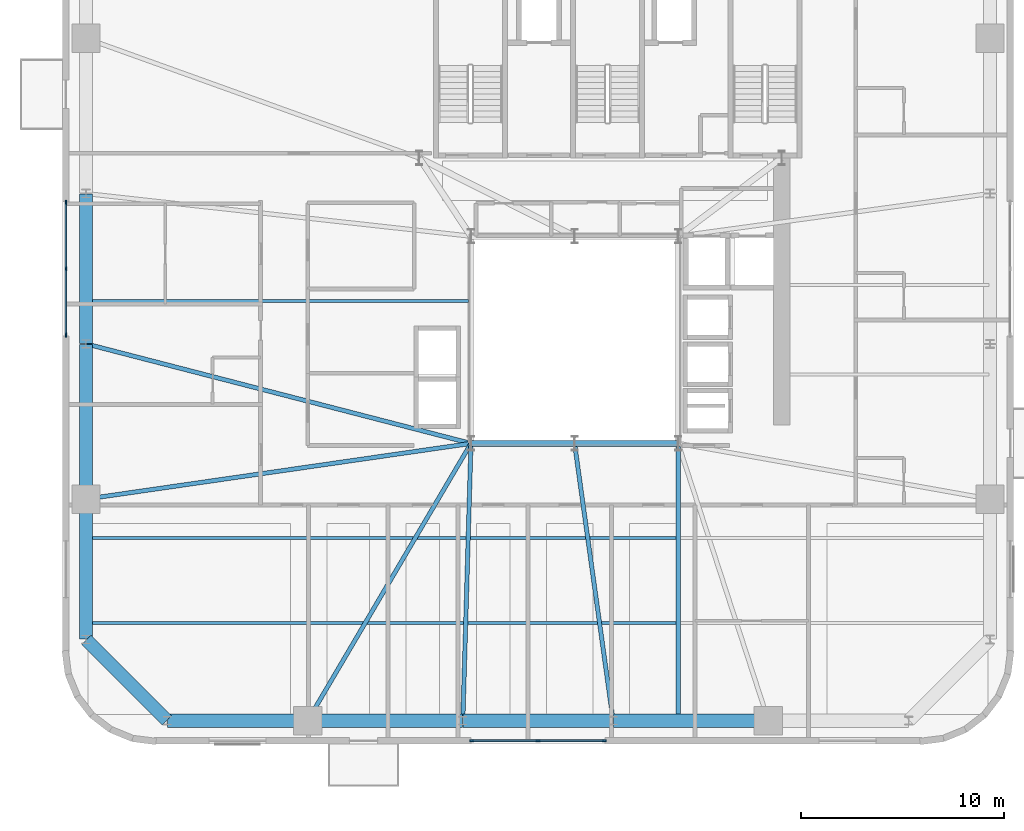
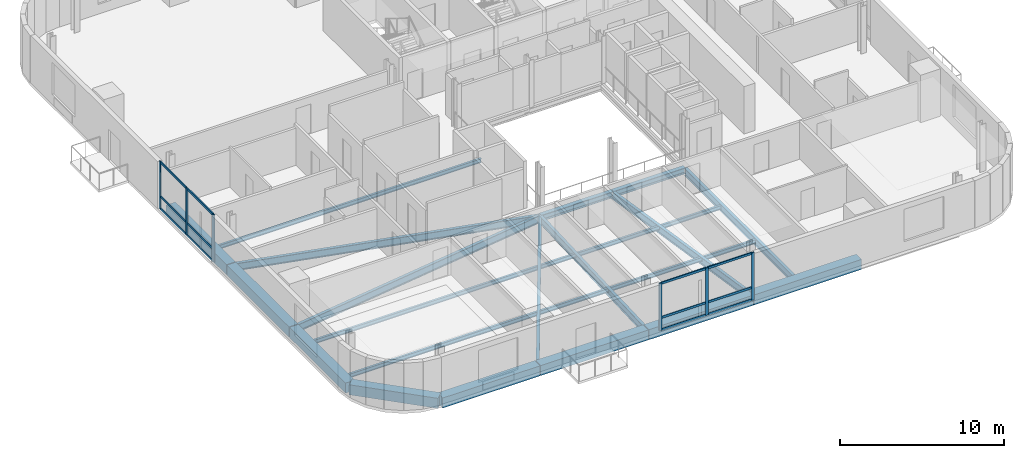
# One storey, part 3 of 17: 19 beams, 18 members, 2 elements without a shape of their own.
"""IFC4 building model written with IfcOpenShell, lengths in metres."""

import ifcopenshell
import ifcopenshell.guid

model = None  # the IFC model being written
_history = None  # IfcOwnerHistory: only IFC2X3 demands one
_inside = {}  # id of a spatial element -> (the spatial element, [elements in it])
_under = {}  # id of a project, library or spatial element -> (it, [spatial elements below it])
_declared = {}  # id of a project -> (the project, [libraries it declares])
_typed = {}  # id of a type object -> (the type object, [elements of that type])
_made_of = {}  # id of a material, layer set ... -> (it, [elements and type objects made of it])


def new_model(schema):
    """Start an empty IFC model of exactly this schema.

    Asked for "IFC4X3", IfcOpenShell would pick the latest addendum, in which some entities
    have other attributes; the version numbers below select the first issue.
    IFC2X3 requires an IfcOwnerHistory on every rooted entity: one is made here for all.
    """
    global model, _history
    if schema == "IFC4X3":
        model = ifcopenshell.file(schema_version=(4, 3, 0, 0))
    else:
        model = ifcopenshell.file(schema=schema)
    _inside.clear()
    _under.clear()
    _declared.clear()
    _typed.clear()
    _made_of.clear()
    _history = None
    if model.schema == "IFC2X3":
        org = make("IfcOrganization", Name="unknown")
        user = make(
            "IfcPersonAndOrganization",
            ThePerson=make("IfcPerson", FamilyName="unknown"),
            TheOrganization=org,
        )
        app = make(
            "IfcApplication",
            ApplicationDeveloper=org,
            Version="unknown",
            ApplicationFullName="unknown",
            ApplicationIdentifier="unknown",
        )
        _history = make(
            "IfcOwnerHistory",
            OwningUser=user,
            OwningApplication=app,
            ChangeAction="ADDED",
            CreationDate=0,
        )
    return model


def make(cls, **values):
    """One entity of the class cls with the attributes given. An attribute that is None is left unset."""
    return model.create_entity(
        cls, **{name: value for name, value in values.items() if value is not None}
    )


def rooted(cls, **values):
    """An entity with a GlobalId (a new one), such as an element, a storey or a relation."""
    return make(cls, GlobalId=ifcopenshell.guid.new(), OwnerHistory=_history, **values)


def si_unit(unit_type, name, prefix=None):
    """IfcSIUnit, for example si_unit("LENGTHUNIT", "METRE", prefix="MILLI")."""
    return make("IfcSIUnit", UnitType=unit_type, Prefix=prefix, Name=name)


def assignment(units):
    """IfcUnitAssignment: the units of a project."""
    return None if units is None else make("IfcUnitAssignment", Units=units)


def point(xyz):
    """IfcCartesianPoint."""
    return None if xyz is None else make("IfcCartesianPoint", Coordinates=xyz)


def direction(xyz):
    """IfcDirection."""
    return None if xyz is None else make("IfcDirection", DirectionRatios=xyz)


def frame(location, z_axis=None, x_axis=None):
    """IfcAxis2Placement3D, a coordinate frame: its origin and axes. An axis left out is left unset."""
    return make(
        "IfcAxis2Placement3D",
        Location=point(location),
        Axis=direction(z_axis),
        RefDirection=direction(x_axis),
    )


def frame_2d(location, x_axis=None):
    """IfcAxis2Placement2D, a coordinate frame in the plane: its origin and x axis."""
    return make(
        "IfcAxis2Placement2D", Location=point(location), RefDirection=direction(x_axis)
    )


def origin():
    """The frame at (0, 0, 0) with its axes left unset."""
    return frame((0.0, 0.0, 0.0))


def origin_2d():
    """The frame at (0, 0) in the plane with its x axis left unset."""
    return frame_2d((0.0, 0.0))


def place(relative_to, where):
    """IfcLocalPlacement: puts the frame where relative to a parent placement (None: the world)."""
    return make(
        "IfcLocalPlacement", PlacementRelTo=relative_to, RelativePlacement=where
    )


def context(
    kind, dimensions, precision=None, world=None, true_north=None, identifier=None
):
    """IfcGeometricRepresentationContext, for example the 3D "Model" context."""
    return make(
        "IfcGeometricRepresentationContext",
        ContextIdentifier=identifier,
        ContextType=kind,
        CoordinateSpaceDimension=dimensions,
        Precision=precision,
        WorldCoordinateSystem=world,
        TrueNorth=true_north,
    )


def subcontext(parent, identifier, kind, view, scale=None):
    """IfcGeometricRepresentationSubContext, for example "Body" below "Model"."""
    return make(
        "IfcGeometricRepresentationSubContext",
        ContextIdentifier=identifier,
        ContextType=kind,
        ParentContext=parent,
        TargetScale=scale,
        TargetView=view,
    )


def project(units=None, contexts=None):
    """IfcProject with its units and contexts."""
    return rooted(
        "IfcProject",
        Name="project",
        RepresentationContexts=contexts,
        UnitsInContext=assignment(units),
    )


def spatial(cls, under=None, at=None, **own):
    """A site, building, storey or space (cls), placed at a placement, below another one or the project."""
    s = rooted(cls, ObjectPlacement=at, **own)
    if under is not None:
        _under.setdefault(under.id(), (under, []))[1].append(s)
    return s


def profile(cls, at=None, kind="AREA", **sizes):
    """A parametric profile (cls). Its sizes go by their IFC names, for example OverallWidth=200.0."""
    return make(cls, ProfileType=kind, Position=at, **sizes)


def rectangle(**sizes):
    """IfcRectangleProfileDef."""
    return profile("IfcRectangleProfileDef", **sizes)


def i_section(**sizes):
    """IfcIShapeProfileDef."""
    return profile("IfcIShapeProfileDef", **sizes)


def extrude(swept, where, along, depth):
    """IfcExtrudedAreaSolid: the profile swept, set in the frame where, extruded along a direction by depth."""
    return make(
        "IfcExtrudedAreaSolid",
        SweptArea=swept,
        Position=where,
        ExtrudedDirection=direction(along),
        Depth=depth,
    )


def shape(context_of_items, identifier, shape_type, items):
    """IfcShapeRepresentation: the items that make up one representation, for example the "Body"."""
    return make(
        "IfcShapeRepresentation",
        ContextOfItems=context_of_items,
        RepresentationIdentifier=identifier,
        RepresentationType=shape_type,
        Items=items,
    )


def source(mapping_origin, context_of_items, identifier, shape_type, items):
    """IfcRepresentationMap: a shape defined once, which mapped items show again and again."""
    return make(
        "IfcRepresentationMap",
        MappingOrigin=mapping_origin,
        MappedRepresentation=shape(context_of_items, identifier, shape_type, items),
    )


def transform(
    local_origin,
    x_axis=None,
    y_axis=None,
    z_axis=None,
    scale=None,
    scale2=None,
    scale3=None,
    uniform=True,
):
    """IfcCartesianTransformationOperator3D, or its non-uniform kind. x_axis, y_axis, z_axis: its Axis1, 2, 3."""
    if uniform:
        return make(
            "IfcCartesianTransformationOperator3D",
            Axis1=direction(x_axis),
            Axis2=direction(y_axis),
            LocalOrigin=point(local_origin),
            Scale=scale,
            Axis3=direction(z_axis),
        )
    return make(
        "IfcCartesianTransformationOperator3DnonUniform",
        Axis1=direction(x_axis),
        Axis2=direction(y_axis),
        LocalOrigin=point(local_origin),
        Scale=scale,
        Axis3=direction(z_axis),
        Scale2=scale2,
        Scale3=scale3,
    )


def mapped(mapping_source, mapping_target):
    """IfcMappedItem: shows the shape of a source again, moved by a transform."""
    return make(
        "IfcMappedItem", MappingSource=mapping_source, MappingTarget=mapping_target
    )


def material(Name=None, Category=None):
    """IfcMaterial."""
    return make("IfcMaterial", Name=Name, Category=Category)


def material_profile(
    of_material, cross_section, Name=None, Category=None, Priority=None
):
    """IfcMaterialProfile: a cross section and its material."""
    return make(
        "IfcMaterialProfile",
        Name=Name,
        Material=of_material,
        Profile=cross_section,
        Priority=Priority,
        Category=Category,
    )


def profile_set(profiles, Name=None, composite=None):
    """IfcMaterialProfileSet."""
    return make(
        "IfcMaterialProfileSet",
        Name=Name,
        MaterialProfiles=profiles,
        CompositeProfile=composite,
    )


def made_of(thing, what):
    """Note that an element or type object is made of a material, layer set ...; save() writes the relation."""
    if what is not None:
        _made_of.setdefault(what.id(), (what, []))[1].append(thing)
    return thing


def type_object(cls, material=None, **own):
    """A type object (cls), such as IfcWallType, which elements share."""
    return made_of(rooted(cls, **own), material)


def element(
    cls,
    number,
    at=None,
    inside=None,
    cuts=None,
    type_object=None,
    material=None,
    context=None,
    identifier="Body",
    shape_type=None,
    held_by="IfcProductDefinitionShape",
    body=None,
    shapes=None,
    **own,
):
    """One element of the class cls, such as IfcWall. Its Tag is "e" and its number.

    at: its placement. inside: the storey or other place that contains it. cuts: it is an
    opening in that element (IfcRelVoidsElement). A single representation is given by context,
    identifier, shape_type and body (its items); several are given by shapes. held_by: the class
    of the entity that holds the representations. save() writes the other relations.
    """
    e = rooted(cls, Tag="e%d" % number, ObjectPlacement=at, **own)
    if body is not None:
        shapes = [shape(context, identifier, shape_type, body)]
    if shapes is not None:
        e.Representation = make(held_by, Representations=shapes)
    if inside is not None:
        _inside.setdefault(inside.id(), (inside, []))[1].append(e)
    if cuts is not None:
        rooted(
            "IfcRelVoidsElement", RelatingBuildingElement=cuts, RelatedOpeningElement=e
        )
    if type_object is not None:
        _typed.setdefault(type_object.id(), (type_object, []))[1].append(e)
    return made_of(e, material)


def aggregate(whole, parts):
    """IfcRelAggregates: a whole, such as a stair, and the parts it consists of."""
    return rooted("IfcRelAggregates", RelatingObject=whole, RelatedObjects=parts)


def save(model, path):
    """Write the relations noted so far, then the file.

    IfcRelAggregates (storeys below a building ...), IfcRelContainedInSpatialStructure (elements
    in a storey), IfcRelDefinesByType, IfcRelAssociatesMaterial and IfcRelDeclares: one each for
    every whole, place, type object, material and project.
    """
    for whole, parts in _under.values():
        aggregate(whole, parts)
    for where, things in _inside.values():
        rooted(
            "IfcRelContainedInSpatialStructure",
            RelatedElements=things,
            RelatingStructure=where,
        )
    for kind, things in _typed.values():
        rooted("IfcRelDefinesByType", RelatedObjects=things, RelatingType=kind)
    for what, things in _made_of.values():
        rooted("IfcRelAssociatesMaterial", RelatedObjects=things, RelatingMaterial=what)
    for by, libraries in _declared.values():
        rooted("IfcRelDeclares", RelatingContext=by, RelatedDefinitions=libraries)
    model.write(path)


model = new_model("IFC4")

# Units and contexts
model_context = context("Model", 3, precision=1e-05, world=origin(), true_north=direction((0.0, 1.0)))
body_context = subcontext(model_context, "Body", "Model", "MODEL_VIEW")
ifc_project = project(units=[si_unit("LENGTHUNIT", "METRE"), si_unit("AREAUNIT", "SQUARE_METRE"), si_unit("VOLUMEUNIT", "CUBIC_METRE"), si_unit("PLANEANGLEUNIT", "RADIAN"), si_unit("MASSUNIT", "GRAM", prefix="KILO")], contexts=[model_context])

# Site, building, storey
site_placement = place(None, origin())
site = spatial("IfcSite", under=ifc_project, at=site_placement, CompositionType="ELEMENT")
building_placement = place(site_placement, origin())
building = spatial("IfcBuilding", under=site, at=building_placement, Name="Vardaveli Station Tower", CompositionType="ELEMENT")
storey_placement = place(building_placement, frame((0.0, 0.0, 218.550048828125)))
storey = spatial("IfcBuildingStorey", under=building, at=storey_placement, Name="L56", CompositionType="ELEMENT", Elevation=218.550048828125)

# Beams
ifc_material_1 = material(Name="Structural steel S355J2", Category="steel")
ifc_material_profile_1 = material_profile(ifc_material_1, i_section(OverallWidth=0.300048828125, OverallDepth=0.449951171875, WebThickness=0.013916015625, FlangeThickness=0.02587890625, FilletRadius=0.027099609375, at=origin_2d()), Name="HEB 450")
ifc_profile_set_1 = profile_set([ifc_material_profile_1], Name="Structural steel S355J2")
beam_type_1 = type_object("IfcBeamType", Name="BM-HEB450", PredefinedType="BEAM", material=ifc_profile_set_1)
shared_shape_1 = source(origin(), body_context, "Body", "SweptSolid", [
    extrude(i_section(OverallWidth=0.300048828125, OverallDepth=0.449951171875, WebThickness=0.013916015625, FlangeThickness=0.02587890625, FilletRadius=0.027099609375, at=origin_2d()), origin(), (0.0, 0.0, 1.0), 5.06005859375),
])
beam_1_placement = place(storey_placement, frame((31.219970703125, 16.60009765625, -0.445068359375), z_axis=(1.0, 0.0, 0.0), x_axis=(0.0, 1.0, 0.0)))
element("IfcBeam", 1, at=beam_1_placement, inside=storey, type_object=beam_type_1, Name="ABM-L56-01", PredefinedType="BEAM", context=body_context, shape_type="MappedRepresentation", body=[
    mapped(shared_shape_1, transform((0.0, 0.0, 0.0), scale=1.0)),
])
shared_shape_2 = source(origin(), body_context, "Body", "SweptSolid", [
    extrude(i_section(OverallWidth=0.300048828125, OverallDepth=0.449951171875, WebThickness=0.013916015625, FlangeThickness=0.02587890625, FilletRadius=0.027099609375, at=origin_2d()), origin(), (0.0, 0.0, 1.0), 5.059814453125),
])
beam_2_placement = place(storey_placement, frame((36.320068359375, 16.60009765625, -0.445068359375), z_axis=(1.0, 0.0, 0.0), x_axis=(0.0, 1.0, 0.0)))
element("IfcBeam", 2, at=beam_2_placement, inside=storey, type_object=beam_type_1, Name="ABM-L56-02", PredefinedType="BEAM", context=body_context, shape_type="MappedRepresentation", body=[
    mapped(shared_shape_2, transform((0.0, 0.0, 0.0), scale=1.0)),
])
ifc_material_2 = material(Name="Precast concrete C45/55", Category="concrete")
ifc_material_profile_2 = material_profile(ifc_material_2, rectangle(XDim=0.64990234375, YDim=0.75, at=origin_2d()), Name="LPB 650x750")
ifc_profile_set_2 = profile_set([ifc_material_profile_2], Name="Precast concrete C45/55")
beam_type_2 = type_object("IfcBeamType", Name="BM-LPB-750", PredefinedType="BEAM", material=ifc_profile_set_2)
shared_shape_3 = source(origin(), body_context, "Body", "SweptSolid", [
    extrude(rectangle(XDim=0.64990234375, YDim=0.75, at=origin_2d()), origin(), (0.0, 0.0, 1.0), 7.60009765625),
])
for number, where, z_axis, x_axis, name in (
    (3, (23.179931640625, 2.949951171875, -0.594970703125), (1.0, 0.0, 0.0), (0.0, 1.0, 0.0), "RBM-L56-01"),
    (4, (38.219970703125, 2.949951171875, -0.594970703125), (1.0, 0.0, 0.0), (0.0, 1.0, 0.0), "RBM-L56-03"),
    (5, (12.25, 21.47998046875, -0.594970703125), (0.0, -1.0, 0.0), (1.0, 0.0, 0.0), "RBM-L56-21"),
):
    element("IfcBeam", number, at=place(storey_placement, frame(where, z_axis=z_axis, x_axis=x_axis)), inside=storey, type_object=beam_type_2, Name=name, PredefinedType="BEAM", context=body_context, shape_type="MappedRepresentation", body=[
        mapped(shared_shape_3, transform((0.0, 0.0, 0.0), scale=1.0)),
    ])
shared_shape_4 = source(origin(), body_context, "Body", "SweptSolid", [
    extrude(rectangle(XDim=0.64990234375, YDim=0.75, at=origin_2d()), origin(), (0.0, 0.0, 1.0), 7.35986328125),
])
for number, where, z_axis, x_axis, name in (
    (6, (30.820068359375, 2.949951171875, -0.594970703125), (1.0, 0.0, 0.0), (0.0, 1.0, 0.0), "RBM-L56-02"),
    (7, (12.25, 28.8798828125, -0.594970703125), (0.0, -1.0, 0.0), (1.0, 0.0, 0.0), "RBM-L56-20"),
):
    element("IfcBeam", number, at=place(storey_placement, frame(where, z_axis=z_axis, x_axis=x_axis)), inside=storey, type_object=beam_type_2, Name=name, PredefinedType="BEAM", context=body_context, shape_type="MappedRepresentation", body=[
        mapped(shared_shape_4, transform((0.0, 0.0, 0.0), scale=1.0)),
    ])
shared_shape_5 = source(origin(), body_context, "Body", "SweptSolid", [
    extrude(rectangle(XDim=0.64990234375, YDim=0.75, at=origin_2d()), origin(), (0.0, 0.0, 1.0), 6.869873046875),
])
beam_3_placement = place(storey_placement, frame((16.27001953125, 2.949951171875, -0.594970703125), z_axis=(1.0, 0.0, 0.0), x_axis=(0.0, 1.0, 0.0)))
element("IfcBeam", 8, at=beam_3_placement, inside=storey, type_object=beam_type_2, Name="RBM-L56-24", PredefinedType="BEAM", context=body_context, shape_type="MappedRepresentation", body=[
    mapped(shared_shape_5, transform((0.0, 0.0, 0.0), scale=1.0)),
])
shared_shape_6 = source(origin(), body_context, "Body", "SweptSolid", [
    extrude(rectangle(XDim=0.64990234375, YDim=0.75, at=origin_2d()), origin(), (0.0, 0.0, 1.0), 5.61669921875),
])
beam_4_placement = place(storey_placement, frame((12.26416015625, 6.935791015625, -0.594970703125), z_axis=(0.707106781187, -0.707106781187, 0.0), x_axis=(0.707106781187, 0.707106781187, 0.0)))
element("IfcBeam", 9, at=beam_4_placement, inside=storey, type_object=beam_type_2, Name="RBM-L56-23", PredefinedType="BEAM", context=body_context, shape_type="MappedRepresentation", body=[
    mapped(shared_shape_6, transform((0.0, 0.0, 0.0), scale=1.0)),
])
shared_shape_7 = source(origin(), body_context, "Body", "SweptSolid", [
    extrude(rectangle(XDim=0.64990234375, YDim=0.75, at=origin_2d()), origin(), (0.0, 0.0, 1.0), 6.8701171875),
])
beam_5_placement = place(storey_placement, frame((12.25, 13.840087890625, -0.594970703125), z_axis=(0.0, -1.0, 0.0), x_axis=(1.0, 0.0, 0.0)))
element("IfcBeam", 10, at=beam_5_placement, inside=storey, type_object=beam_type_2, Name="RBM-L56-22", PredefinedType="BEAM", context=body_context, shape_type="MappedRepresentation", body=[
    mapped(shared_shape_7, transform((0.0, 0.0, 0.0), scale=1.0)),
])
ifc_material_profile_3 = material_profile(ifc_material_1, i_section(OverallWidth=0.2099609375, OverallDepth=0.550048828125, WebThickness=0.010986328125, FlangeThickness=0.01708984375, FilletRadius=0.02392578125, at=origin_2d()), Name="IPE 550")
ifc_profile_set_3 = profile_set([ifc_material_profile_3], Name="Structural steel S355J2")
beam_type_3 = type_object("IfcBeamType", Name="BM-IPE550", PredefinedType="BEAM", material=ifc_profile_set_3)
shared_shape_8 = source(origin(), body_context, "Body", "SweptSolid", [
    extrude(i_section(OverallWidth=0.2099609375, OverallDepth=0.550048828125, WebThickness=0.010986328125, FlangeThickness=0.01708984375, FilletRadius=0.02392578125, at=origin_2d()), origin(), (0.0, 0.0, 1.0), 13.469970703125),
])
beam_6_placement = place(storey_placement, frame((41.39990234375, 2.989990234375, -0.4951171875), z_axis=(0.0, 1.0, 0.0), x_axis=(-1.0, 0.0, 0.0)))
element("IfcBeam", 11, at=beam_6_placement, inside=storey, type_object=beam_type_3, Name="NSM-L56-S2", PredefinedType="BEAM", context=body_context, shape_type="MappedRepresentation", body=[
    mapped(shared_shape_8, transform((0.0, 0.0, 0.0), scale=1.0)),
])
shared_shape_9 = source(origin(), body_context, "Body", "SweptSolid", [
    extrude(i_section(OverallWidth=0.2099609375, OverallDepth=0.550048828125, WebThickness=0.010986328125, FlangeThickness=0.01708984375, FilletRadius=0.02392578125, at=origin_2d()), origin(), (0.0, 0.0, 1.0), 15.8017578125),
])
beam_7_placement = place(storey_placement, frame((23.170166015625, 2.96728515625, -0.4951171875), z_axis=(0.507521713546, 0.86163896748, 0.0), x_axis=(-0.86163896748, 0.507521713546, 0.0)))
element("IfcBeam", 12, at=beam_7_placement, inside=storey, type_object=beam_type_3, Name="GBM-L56-01", PredefinedType="BEAM", context=body_context, shape_type="MappedRepresentation", body=[
    mapped(shared_shape_9, transform((0.0, 0.0, 0.0), scale=1.0)),
])
shared_shape_10 = source(origin(), body_context, "Body", "SweptSolid", [
    extrude(i_section(OverallWidth=0.2099609375, OverallDepth=0.550048828125, WebThickness=0.010986328125, FlangeThickness=0.01708984375, FilletRadius=0.02392578125, at=origin_2d()), origin(), (0.0, 0.0, 1.0), 13.615966796875),
])
beam_8_placement = place(storey_placement, frame((30.800537109375, 2.969970703125, -0.4951171875), z_axis=(0.029298411379, 0.9995707094, 0.0), x_axis=(-0.9995707094, 0.029298411379, 0.0)))
element("IfcBeam", 13, at=beam_8_placement, inside=storey, type_object=beam_type_3, Name="GBM-L56-02", PredefinedType="BEAM", context=body_context, shape_type="MappedRepresentation", body=[
    mapped(shared_shape_10, transform((0.0, 0.0, 0.0), scale=1.0)),
])
shared_shape_11 = source(origin(), body_context, "Body", "SweptSolid", [
    extrude(i_section(OverallWidth=0.2099609375, OverallDepth=0.550048828125, WebThickness=0.010986328125, FlangeThickness=0.01708984375, FilletRadius=0.02392578125, at=origin_2d()), origin(), (0.0, 0.0, 1.0), 13.741455078125),
])
beam_9_placement = place(storey_placement, frame((38.197265625, 2.9697265625, -0.4951171875), z_axis=(-0.137868554024, 0.990450534762, 0.0), x_axis=(-0.990450534762, -0.137868554024, 0.0)))
element("IfcBeam", 14, at=beam_9_placement, inside=storey, type_object=beam_type_3, Name="GBM-L56-03", PredefinedType="BEAM", context=body_context, shape_type="MappedRepresentation", body=[
    mapped(shared_shape_11, transform((0.0, 0.0, 0.0), scale=1.0)),
])
shared_shape_12 = source(origin(), body_context, "Body", "SweptSolid", [
    extrude(i_section(OverallWidth=0.2099609375, OverallDepth=0.550048828125, WebThickness=0.010986328125, FlangeThickness=0.01708984375, FilletRadius=0.02392578125, at=origin_2d()), origin(), (0.0, 0.0, 1.0), 19.533447265625),
])
beam_10_placement = place(storey_placement, frame((12.269287109375, 21.494873046875, -0.4951171875), z_axis=(0.968159081778, -0.250335759272, 0.0), x_axis=(0.250335759272, 0.968159081778, 0.0)))
element("IfcBeam", 15, at=beam_10_placement, inside=storey, type_object=beam_type_3, Name="GBM-L56-09", PredefinedType="BEAM", context=body_context, shape_type="MappedRepresentation", body=[
    mapped(shared_shape_12, transform((0.0, 0.0, 0.0), scale=1.0)),
])
shared_shape_13 = source(origin(), body_context, "Body", "SweptSolid", [
    extrude(i_section(OverallWidth=0.2099609375, OverallDepth=0.550048828125, WebThickness=0.010986328125, FlangeThickness=0.01708984375, FilletRadius=0.02392578125, at=origin_2d()), origin(), (0.0, 0.0, 1.0), 19.107177734375),
])
beam_11_placement = place(storey_placement, frame((12.269775390625, 13.86279296875, -0.4951171875), z_axis=(0.989707072711, 0.143108036903, 0.0), x_axis=(-0.143108036903, 0.989707072711, 0.0)))
element("IfcBeam", 16, at=beam_11_placement, inside=storey, type_object=beam_type_3, Name="GBM-L56-10", PredefinedType="BEAM", context=body_context, shape_type="MappedRepresentation", body=[
    mapped(shared_shape_13, transform((0.0, 0.0, 0.0), scale=1.0)),
])
ifc_material_profile_4 = material_profile(ifc_material_1, i_section(OverallWidth=0.14990234375, OverallDepth=0.300048828125, WebThickness=0.007080078125, FlangeThickness=0.0107421875, FilletRadius=0.014892578125, at=origin_2d()), Name="IPE 300")
ifc_profile_set_4 = profile_set([ifc_material_profile_4], Name="Structural steel S355J2")
beam_type_4 = type_object("IfcBeamType", Name="BM-IPE300", PredefinedType="JOIST", material=ifc_profile_set_4)
shared_shape_14 = source(origin(), body_context, "Body", "SweptSolid", [
    extrude(i_section(OverallWidth=0.14990234375, OverallDepth=0.300048828125, WebThickness=0.007080078125, FlangeThickness=0.0107421875, FilletRadius=0.014892578125, at=origin_2d()), origin(), (0.0, 0.0, 1.0), 28.998046875),
])
for number, where, z_axis, x_axis, name in (
    (17, (12.2900390625, 7.75, -0.3701171875), (1.0, 0.0, 0.0), (0.0, 1.0, 0.0), "SJ-L56-S01"),
    (18, (12.2900390625, 11.949951171875, -0.3701171875), (1.0, 0.0, 0.0), (0.0, 1.0, 0.0), "SJ-L56-S03"),
):
    element("IfcBeam", number, at=place(storey_placement, frame(where, z_axis=z_axis, x_axis=x_axis)), inside=storey, type_object=beam_type_4, Name=name, PredefinedType="JOIST", context=body_context, shape_type="MappedRepresentation", body=[
        mapped(shared_shape_14, transform((0.0, 0.0, 0.0), scale=1.0)),
    ])
shared_shape_15 = source(origin(), body_context, "Body", "SweptSolid", [
    extrude(i_section(OverallWidth=0.14990234375, OverallDepth=0.300048828125, WebThickness=0.007080078125, FlangeThickness=0.0107421875, FilletRadius=0.014892578125, at=origin_2d()), origin(), (0.0, 0.0, 1.0), 18.7978515625),
])
beam_12_placement = place(storey_placement, frame((12.2900390625, 23.60009765625, -0.3701171875), z_axis=(1.0, 0.0, 0.0), x_axis=(0.0, 1.0, 0.0)))
element("IfcBeam", 19, at=beam_12_placement, inside=storey, type_object=beam_type_4, Name="SJ-L56-W06", PredefinedType="JOIST", context=body_context, shape_type="MappedRepresentation", body=[
    mapped(shared_shape_15, transform((0.0, 0.0, 0.0), scale=1.0)),
])

# Curtain wall, members
ifc_material_3 = material(Name="Travertine stone and solar-control glass", Category="masonry")
curtain_wall_type = type_object("IfcCurtainWallType", Name="CW-SYS-5", PredefinedType="NOTDEFINED", material=ifc_material_3)
curtain_wall_1_placement = place(storey_placement, origin())
curtain_wall_1 = element("IfcCurtainWall", 20, at=curtain_wall_1_placement, inside=storey, type_object=curtain_wall_type, Name="CW-L56-S", PredefinedType="NOTDEFINED")
ifc_material_4 = material(Name="Anodised aluminium alloy 6063-T6", Category="aluminium")
ifc_material_profile_5 = material_profile(ifc_material_4, rectangle(XDim=0.080078125, YDim=0.1650390625, at=origin_2d()), Name="CWT 80x165")
ifc_profile_set_5 = profile_set([ifc_material_profile_5], Name="Anodised aluminium alloy 6063-T6")
member_type_1 = type_object("IfcMemberType", Name="CW-SYS-5-TRAN", PredefinedType="NOTDEFINED", material=ifc_profile_set_5)
shared_shape_16 = source(origin(), body_context, "Body", "SweptSolid", [
    extrude(rectangle(XDim=0.080078125, YDim=0.1650390625, at=origin_2d()), origin(), (0.0, 0.0, 1.0), 3.179931640625),
])
member_1_placement = place(storey_placement, frame((31.280029296875, 1.9599609375, 0.0400390625), z_axis=(1.0, 0.0, 0.0), x_axis=(0.0, 1.0, 0.0)))
member_1 = element("IfcMember", 21, at=member_1_placement, type_object=member_type_1, Name="CW-5 transom 1.1", ObjectType="TRANSOM", PredefinedType="USERDEFINED", context=body_context, shape_type="MappedRepresentation", body=[
    mapped(shared_shape_16, transform((0.0, 0.0, 0.0), scale=1.0)),
])
member_2_placement = place(storey_placement, frame((31.280029296875, 1.9599609375, 0.949951171875), z_axis=(1.0, 0.0, 0.0), x_axis=(0.0, 1.0, 0.0)))
member_2 = element("IfcMember", 22, at=member_2_placement, type_object=member_type_1, Name="CW-5 transom 1.2", ObjectType="TRANSOM", PredefinedType="USERDEFINED", context=body_context, shape_type="MappedRepresentation", body=[
    mapped(shared_shape_16, transform((0.0, 0.0, 0.0), scale=1.0)),
])
member_3_placement = place(storey_placement, frame((31.280029296875, 1.9599609375, 3.489990234375), z_axis=(1.0, 0.0, 0.0), x_axis=(0.0, 1.0, 0.0)))
member_3 = element("IfcMember", 23, at=member_3_placement, type_object=member_type_1, Name="CW-5 transom 1.3", ObjectType="TRANSOM", PredefinedType="USERDEFINED", context=body_context, shape_type="MappedRepresentation", body=[
    mapped(shared_shape_16, transform((0.0, 0.0, 0.0), scale=1.0)),
])
member_4_placement = place(storey_placement, frame((34.5400390625, 1.9599609375, 0.0400390625), z_axis=(1.0, 0.0, 0.0), x_axis=(0.0, 1.0, 0.0)))
member_4 = element("IfcMember", 24, at=member_4_placement, type_object=member_type_1, Name="CW-5 transom 2.1", ObjectType="TRANSOM", PredefinedType="USERDEFINED", context=body_context, shape_type="MappedRepresentation", body=[
    mapped(shared_shape_16, transform((0.0, 0.0, 0.0), scale=1.0)),
])
member_5_placement = place(storey_placement, frame((34.5400390625, 1.9599609375, 0.949951171875), z_axis=(1.0, 0.0, 0.0), x_axis=(0.0, 1.0, 0.0)))
member_5 = element("IfcMember", 25, at=member_5_placement, type_object=member_type_1, Name="CW-5 transom 2.2", ObjectType="TRANSOM", PredefinedType="USERDEFINED", context=body_context, shape_type="MappedRepresentation", body=[
    mapped(shared_shape_16, transform((0.0, 0.0, 0.0), scale=1.0)),
])
member_6_placement = place(storey_placement, frame((34.5400390625, 1.9599609375, 3.489990234375), z_axis=(1.0, 0.0, 0.0), x_axis=(0.0, 1.0, 0.0)))
member_6 = element("IfcMember", 26, at=member_6_placement, type_object=member_type_1, Name="CW-5 transom 2.3", ObjectType="TRANSOM", PredefinedType="USERDEFINED", context=body_context, shape_type="MappedRepresentation", body=[
    mapped(shared_shape_16, transform((0.0, 0.0, 0.0), scale=1.0)),
])

curtain_wall_2_placement = place(storey_placement, origin())
curtain_wall_2 = element("IfcCurtainWall", 27, at=curtain_wall_2_placement, inside=storey, type_object=curtain_wall_type, Name="CW-L56-W", PredefinedType="NOTDEFINED")
member_7_placement = place(storey_placement, frame((11.260009765625, 28.419921875, 0.0400390625), z_axis=(0.0, -1.0, 0.0), x_axis=(1.0, 0.0, 0.0)))
member_7 = element("IfcMember", 28, at=member_7_placement, type_object=member_type_1, Name="CW-5 transom 1.1", ObjectType="TRANSOM", PredefinedType="USERDEFINED", context=body_context, shape_type="MappedRepresentation", body=[
    mapped(shared_shape_16, transform((0.0, 0.0, 0.0), scale=1.0)),
])
member_8_placement = place(storey_placement, frame((11.260009765625, 28.419921875, 0.949951171875), z_axis=(0.0, -1.0, 0.0), x_axis=(1.0, 0.0, 0.0)))
member_8 = element("IfcMember", 29, at=member_8_placement, type_object=member_type_1, Name="CW-5 transom 1.2", ObjectType="TRANSOM", PredefinedType="USERDEFINED", context=body_context, shape_type="MappedRepresentation", body=[
    mapped(shared_shape_16, transform((0.0, 0.0, 0.0), scale=1.0)),
])
member_9_placement = place(storey_placement, frame((11.260009765625, 28.419921875, 3.489990234375), z_axis=(0.0, -1.0, 0.0), x_axis=(1.0, 0.0, 0.0)))
member_9 = element("IfcMember", 30, at=member_9_placement, type_object=member_type_1, Name="CW-5 transom 1.3", ObjectType="TRANSOM", PredefinedType="USERDEFINED", context=body_context, shape_type="MappedRepresentation", body=[
    mapped(shared_shape_16, transform((0.0, 0.0, 0.0), scale=1.0)),
])
member_10_placement = place(storey_placement, frame((11.260009765625, 25.159912109375, 0.0400390625), z_axis=(0.0, -1.0, 0.0), x_axis=(1.0, 0.0, 0.0)))
member_10 = element("IfcMember", 31, at=member_10_placement, type_object=member_type_1, Name="CW-5 transom 2.1", ObjectType="TRANSOM", PredefinedType="USERDEFINED", context=body_context, shape_type="MappedRepresentation", body=[
    mapped(shared_shape_16, transform((0.0, 0.0, 0.0), scale=1.0)),
])
member_11_placement = place(storey_placement, frame((11.260009765625, 25.159912109375, 0.949951171875), z_axis=(0.0, -1.0, 0.0), x_axis=(1.0, 0.0, 0.0)))
member_11 = element("IfcMember", 32, at=member_11_placement, type_object=member_type_1, Name="CW-5 transom 2.2", ObjectType="TRANSOM", PredefinedType="USERDEFINED", context=body_context, shape_type="MappedRepresentation", body=[
    mapped(shared_shape_16, transform((0.0, 0.0, 0.0), scale=1.0)),
])
member_12_placement = place(storey_placement, frame((11.260009765625, 25.159912109375, 3.489990234375), z_axis=(0.0, -1.0, 0.0), x_axis=(1.0, 0.0, 0.0)))
member_12 = element("IfcMember", 33, at=member_12_placement, type_object=member_type_1, Name="CW-5 transom 2.3", ObjectType="TRANSOM", PredefinedType="USERDEFINED", context=body_context, shape_type="MappedRepresentation", body=[
    mapped(shared_shape_16, transform((0.0, 0.0, 0.0), scale=1.0)),
])

# Member
ifc_material_profile_6 = material_profile(ifc_material_4, rectangle(XDim=0.080078125, YDim=0.205078125, at=origin_2d()), Name="CWM 80x205")
ifc_profile_set_6 = profile_set([ifc_material_profile_6], Name="Anodised aluminium alloy 6063-T6")
member_type_2 = type_object("IfcMemberType", Name="CW-SYS-5-MULL", PredefinedType="MULLION", material=ifc_profile_set_6)
shared_shape_17 = source(origin(), body_context, "Body", "SweptSolid", [
    extrude(rectangle(XDim=0.080078125, YDim=0.205078125, at=origin_2d()), origin(), (0.0, 0.0, 1.0), 3.530029296875),
])
member_13_placement = place(storey_placement, frame((31.239990234375, 1.9599609375, 0.0), z_axis=(0.0, 0.0, 1.0), x_axis=(0.0, 1.0, 0.0)))
member_13 = element("IfcMember", 34, at=member_13_placement, type_object=member_type_2, Name="CW-5 mullion 1", PredefinedType="MULLION", context=body_context, shape_type="MappedRepresentation", body=[
    mapped(shared_shape_17, transform((0.0, 0.0, 0.0), scale=1.0)),
])

member_14_placement = place(storey_placement, frame((34.5, 1.9599609375, 0.0), z_axis=(0.0, 0.0, 1.0), x_axis=(0.0, 1.0, 0.0)))
member_14 = element("IfcMember", 35, at=member_14_placement, type_object=member_type_2, Name="CW-5 mullion 2", PredefinedType="MULLION", context=body_context, shape_type="MappedRepresentation", body=[
    mapped(shared_shape_17, transform((0.0, 0.0, 0.0), scale=1.0)),
])

member_15_placement = place(storey_placement, frame((37.760009765625, 1.9599609375, 0.0), z_axis=(0.0, 0.0, 1.0), x_axis=(0.0, 1.0, 0.0)))
member_15 = element("IfcMember", 36, at=member_15_placement, type_object=member_type_2, Name="CW-5 mullion 3", PredefinedType="MULLION", context=body_context, shape_type="MappedRepresentation", body=[
    mapped(shared_shape_17, transform((0.0, 0.0, 0.0), scale=1.0)),
])

aggregate(curtain_wall_1, [member_13, member_14, member_15, member_1, member_2, member_3, member_4, member_5, member_6])

member_16_placement = place(storey_placement, frame((11.260009765625, 28.4599609375, 0.0), z_axis=(0.0, 0.0, 1.0), x_axis=(1.0, 0.0, 0.0)))
member_16 = element("IfcMember", 37, at=member_16_placement, type_object=member_type_2, Name="CW-5 mullion 1", PredefinedType="MULLION", context=body_context, shape_type="MappedRepresentation", body=[
    mapped(shared_shape_17, transform((0.0, 0.0, 0.0), scale=1.0)),
])

member_17_placement = place(storey_placement, frame((11.260009765625, 25.199951171875, 0.0), z_axis=(0.0, 0.0, 1.0), x_axis=(1.0, 0.0, 0.0)))
member_17 = element("IfcMember", 38, at=member_17_placement, type_object=member_type_2, Name="CW-5 mullion 2", PredefinedType="MULLION", context=body_context, shape_type="MappedRepresentation", body=[
    mapped(shared_shape_17, transform((0.0, 0.0, 0.0), scale=1.0)),
])

member_18_placement = place(storey_placement, frame((11.260009765625, 21.93994140625, 0.0), z_axis=(0.0, 0.0, 1.0), x_axis=(1.0, 0.0, 0.0)))
member_18 = element("IfcMember", 39, at=member_18_placement, type_object=member_type_2, Name="CW-5 mullion 3", PredefinedType="MULLION", context=body_context, shape_type="MappedRepresentation", body=[
    mapped(shared_shape_17, transform((0.0, 0.0, 0.0), scale=1.0)),
])

aggregate(curtain_wall_2, [member_16, member_17, member_18, member_7, member_8, member_9, member_10, member_11, member_12])

save(model, "model.ifc")
